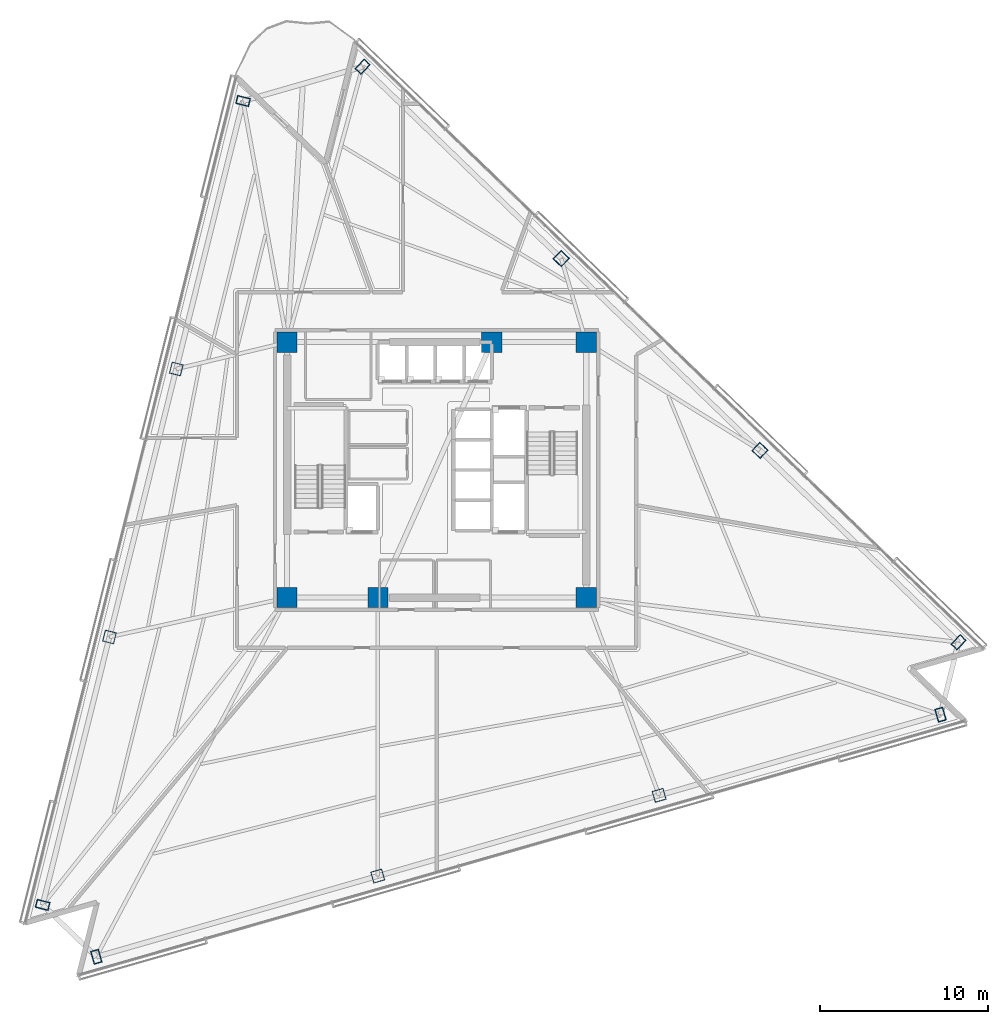
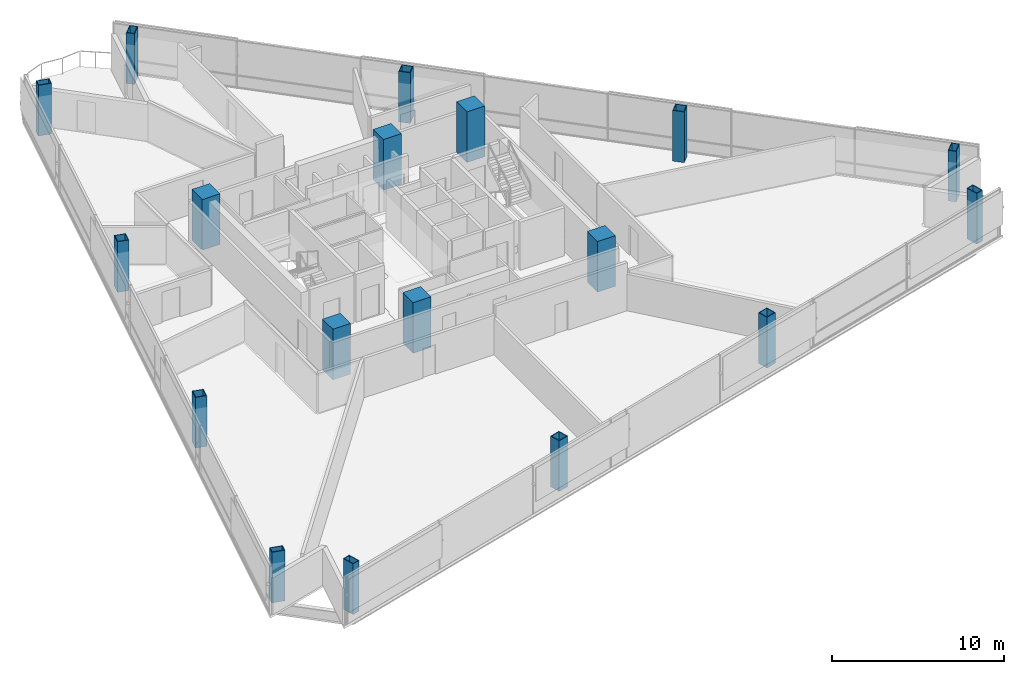
# One storey, part 1 of 19: 18 columns.
"""IFC4 building model written with IfcOpenShell, lengths in metres."""

import ifcopenshell
import ifcopenshell.guid

model = None  # the IFC model being written
_history = None  # IfcOwnerHistory: only IFC2X3 demands one
_inside = {}  # id of a spatial element -> (the spatial element, [elements in it])
_under = {}  # id of a project, library or spatial element -> (it, [spatial elements below it])
_declared = {}  # id of a project -> (the project, [libraries it declares])
_typed = {}  # id of a type object -> (the type object, [elements of that type])
_made_of = {}  # id of a material, layer set ... -> (it, [elements and type objects made of it])


def new_model(schema):
    """Start an empty IFC model of exactly this schema.

    Asked for "IFC4X3", IfcOpenShell would pick the latest addendum, in which some entities
    have other attributes; the version numbers below select the first issue.
    IFC2X3 requires an IfcOwnerHistory on every rooted entity: one is made here for all.
    """
    global model, _history
    if schema == "IFC4X3":
        model = ifcopenshell.file(schema_version=(4, 3, 0, 0))
    else:
        model = ifcopenshell.file(schema=schema)
    _inside.clear()
    _under.clear()
    _declared.clear()
    _typed.clear()
    _made_of.clear()
    _history = None
    if model.schema == "IFC2X3":
        org = make("IfcOrganization", Name="unknown")
        user = make(
            "IfcPersonAndOrganization",
            ThePerson=make("IfcPerson", FamilyName="unknown"),
            TheOrganization=org,
        )
        app = make(
            "IfcApplication",
            ApplicationDeveloper=org,
            Version="unknown",
            ApplicationFullName="unknown",
            ApplicationIdentifier="unknown",
        )
        _history = make(
            "IfcOwnerHistory",
            OwningUser=user,
            OwningApplication=app,
            ChangeAction="ADDED",
            CreationDate=0,
        )
    return model


def make(cls, **values):
    """One entity of the class cls with the attributes given. An attribute that is None is left unset."""
    return model.create_entity(
        cls, **{name: value for name, value in values.items() if value is not None}
    )


def rooted(cls, **values):
    """An entity with a GlobalId (a new one), such as an element, a storey or a relation."""
    return make(cls, GlobalId=ifcopenshell.guid.new(), OwnerHistory=_history, **values)


def si_unit(unit_type, name, prefix=None):
    """IfcSIUnit, for example si_unit("LENGTHUNIT", "METRE", prefix="MILLI")."""
    return make("IfcSIUnit", UnitType=unit_type, Prefix=prefix, Name=name)


def assignment(units):
    """IfcUnitAssignment: the units of a project."""
    return None if units is None else make("IfcUnitAssignment", Units=units)


def point(xyz):
    """IfcCartesianPoint."""
    return None if xyz is None else make("IfcCartesianPoint", Coordinates=xyz)


def direction(xyz):
    """IfcDirection."""
    return None if xyz is None else make("IfcDirection", DirectionRatios=xyz)


def frame(location, z_axis=None, x_axis=None):
    """IfcAxis2Placement3D, a coordinate frame: its origin and axes. An axis left out is left unset."""
    return make(
        "IfcAxis2Placement3D",
        Location=point(location),
        Axis=direction(z_axis),
        RefDirection=direction(x_axis),
    )


def frame_2d(location, x_axis=None):
    """IfcAxis2Placement2D, a coordinate frame in the plane: its origin and x axis."""
    return make(
        "IfcAxis2Placement2D", Location=point(location), RefDirection=direction(x_axis)
    )


def origin():
    """The frame at (0, 0, 0) with its axes left unset."""
    return frame((0.0, 0.0, 0.0))


def origin_2d():
    """The frame at (0, 0) in the plane with its x axis left unset."""
    return frame_2d((0.0, 0.0))


def place(relative_to, where):
    """IfcLocalPlacement: puts the frame where relative to a parent placement (None: the world)."""
    return make(
        "IfcLocalPlacement", PlacementRelTo=relative_to, RelativePlacement=where
    )


def context(
    kind, dimensions, precision=None, world=None, true_north=None, identifier=None
):
    """IfcGeometricRepresentationContext, for example the 3D "Model" context."""
    return make(
        "IfcGeometricRepresentationContext",
        ContextIdentifier=identifier,
        ContextType=kind,
        CoordinateSpaceDimension=dimensions,
        Precision=precision,
        WorldCoordinateSystem=world,
        TrueNorth=true_north,
    )


def subcontext(parent, identifier, kind, view, scale=None):
    """IfcGeometricRepresentationSubContext, for example "Body" below "Model"."""
    return make(
        "IfcGeometricRepresentationSubContext",
        ContextIdentifier=identifier,
        ContextType=kind,
        ParentContext=parent,
        TargetScale=scale,
        TargetView=view,
    )


def project(units=None, contexts=None):
    """IfcProject with its units and contexts."""
    return rooted(
        "IfcProject",
        Name="project",
        RepresentationContexts=contexts,
        UnitsInContext=assignment(units),
    )


def spatial(cls, under=None, at=None, **own):
    """A site, building, storey or space (cls), placed at a placement, below another one or the project."""
    s = rooted(cls, ObjectPlacement=at, **own)
    if under is not None:
        _under.setdefault(under.id(), (under, []))[1].append(s)
    return s


def profile(cls, at=None, kind="AREA", **sizes):
    """A parametric profile (cls). Its sizes go by their IFC names, for example OverallWidth=200.0."""
    return make(cls, ProfileType=kind, Position=at, **sizes)


def rectangle(**sizes):
    """IfcRectangleProfileDef."""
    return profile("IfcRectangleProfileDef", **sizes)


def hollow_rectangle(**sizes):
    """IfcRectangleHollowProfileDef."""
    return profile("IfcRectangleHollowProfileDef", **sizes)


def extrude(swept, where, along, depth):
    """IfcExtrudedAreaSolid: the profile swept, set in the frame where, extruded along a direction by depth."""
    return make(
        "IfcExtrudedAreaSolid",
        SweptArea=swept,
        Position=where,
        ExtrudedDirection=direction(along),
        Depth=depth,
    )


def shape(context_of_items, identifier, shape_type, items):
    """IfcShapeRepresentation: the items that make up one representation, for example the "Body"."""
    return make(
        "IfcShapeRepresentation",
        ContextOfItems=context_of_items,
        RepresentationIdentifier=identifier,
        RepresentationType=shape_type,
        Items=items,
    )


def material(Name=None, Category=None):
    """IfcMaterial."""
    return make("IfcMaterial", Name=Name, Category=Category)


def material_profile(
    of_material, cross_section, Name=None, Category=None, Priority=None
):
    """IfcMaterialProfile: a cross section and its material."""
    return make(
        "IfcMaterialProfile",
        Name=Name,
        Material=of_material,
        Profile=cross_section,
        Priority=Priority,
        Category=Category,
    )


def profile_set(profiles, Name=None, composite=None):
    """IfcMaterialProfileSet."""
    return make(
        "IfcMaterialProfileSet",
        Name=Name,
        MaterialProfiles=profiles,
        CompositeProfile=composite,
    )


def made_of(thing, what):
    """Note that an element or type object is made of a material, layer set ...; save() writes the relation."""
    if what is not None:
        _made_of.setdefault(what.id(), (what, []))[1].append(thing)
    return thing


def type_object(cls, material=None, **own):
    """A type object (cls), such as IfcWallType, which elements share."""
    return made_of(rooted(cls, **own), material)


def element(
    cls,
    number,
    at=None,
    inside=None,
    cuts=None,
    type_object=None,
    material=None,
    context=None,
    identifier="Body",
    shape_type=None,
    held_by="IfcProductDefinitionShape",
    body=None,
    shapes=None,
    **own,
):
    """One element of the class cls, such as IfcWall. Its Tag is "e" and its number.

    at: its placement. inside: the storey or other place that contains it. cuts: it is an
    opening in that element (IfcRelVoidsElement). A single representation is given by context,
    identifier, shape_type and body (its items); several are given by shapes. held_by: the class
    of the entity that holds the representations. save() writes the other relations.
    """
    e = rooted(cls, Tag="e%d" % number, ObjectPlacement=at, **own)
    if body is not None:
        shapes = [shape(context, identifier, shape_type, body)]
    if shapes is not None:
        e.Representation = make(held_by, Representations=shapes)
    if inside is not None:
        _inside.setdefault(inside.id(), (inside, []))[1].append(e)
    if cuts is not None:
        rooted(
            "IfcRelVoidsElement", RelatingBuildingElement=cuts, RelatedOpeningElement=e
        )
    if type_object is not None:
        _typed.setdefault(type_object.id(), (type_object, []))[1].append(e)
    return made_of(e, material)


def aggregate(whole, parts):
    """IfcRelAggregates: a whole, such as a stair, and the parts it consists of."""
    return rooted("IfcRelAggregates", RelatingObject=whole, RelatedObjects=parts)


def save(model, path):
    """Write the relations noted so far, then the file.

    IfcRelAggregates (storeys below a building ...), IfcRelContainedInSpatialStructure (elements
    in a storey), IfcRelDefinesByType, IfcRelAssociatesMaterial and IfcRelDeclares: one each for
    every whole, place, type object, material and project.
    """
    for whole, parts in _under.values():
        aggregate(whole, parts)
    for where, things in _inside.values():
        rooted(
            "IfcRelContainedInSpatialStructure",
            RelatedElements=things,
            RelatingStructure=where,
        )
    for kind, things in _typed.values():
        rooted("IfcRelDefinesByType", RelatedObjects=things, RelatingType=kind)
    for what, things in _made_of.values():
        rooted("IfcRelAssociatesMaterial", RelatedObjects=things, RelatingMaterial=what)
    for by, libraries in _declared.values():
        rooted("IfcRelDeclares", RelatingContext=by, RelatedDefinitions=libraries)
    model.write(path)


model = new_model("IFC4")

# Units and contexts
model_context = context("Model", 3, precision=1e-05, world=origin(), true_north=direction((0.0, 1.0)))
body_context = subcontext(model_context, "Body", "Model", "MODEL_VIEW")
ifc_project = project(units=[si_unit("LENGTHUNIT", "METRE"), si_unit("AREAUNIT", "SQUARE_METRE"), si_unit("VOLUMEUNIT", "CUBIC_METRE"), si_unit("PLANEANGLEUNIT", "RADIAN"), si_unit("MASSUNIT", "GRAM", prefix="KILO")], contexts=[model_context])

# Site, building, storey
site_placement = place(None, origin())
site = spatial("IfcSite", under=ifc_project, at=site_placement, CompositionType="ELEMENT")
building_placement = place(site_placement, origin())
building = spatial("IfcBuilding", under=site, at=building_placement, Name="Tharavind Bronze Gate", CompositionType="ELEMENT")
storey_placement = place(building_placement, frame((0.0, 0.0, 89.699951171875)))
storey = spatial("IfcBuildingStorey", under=building, at=storey_placement, Name="L22", CompositionType="ELEMENT", Elevation=89.699951171875)

# Columns
ifc_material_1 = material(Name="Steel S460", Category="steel")
ifc_material_profile_1 = material_profile(ifc_material_1, hollow_rectangle(XDim=0.5, YDim=0.800048828125, WallThickness=0.0400390625, at=origin_2d()), Name="RHS800X500X40")
ifc_profile_set_1 = profile_set([ifc_material_profile_1], Name="Steel S460")
column_type_1 = type_object("IfcColumnType", Name="CORNER NOTCH COLUMN RHS800X500", PredefinedType="COLUMN", material=ifc_profile_set_1)
for number, where, z_axis, x_axis, name in (
    (1, (-11.520263671875, 21.952392578125, 0.0), (0.0, 0.0, 1.0), (0.2419218956, 0.970295726276, 0.0), "L22 perimeter column S1C1"),
    (2, (-23.447265625, -25.884521484375, 0.0), (0.0, 0.0, 1.0), (0.2419218956, 0.970295726276, 0.0), "L22 perimeter column S1C4"),
    (3, (-20.25341796875, -28.96875, 0.0), (0.0, 0.0, 1.0), (0.961261695938, 0.275637355817, 0.0), "L22 perimeter column S2C1"),
    (4, (29.9833984375, -14.563720703125, 0.0), (0.0, 0.0, 1.0), (0.961261695938, 0.275637355817, 0.0), "L22 perimeter column S2C4"),
    (5, (31.0576171875, -10.255615234375, 0.0), (0.0, 0.0, 1.0), (-0.719339800339, 0.694658370459, 0.0), "L22 perimeter column S3C1"),
    (6, (-4.406982421875, 23.9921875, 0.0), (0.0, 0.0, 1.0), (-0.719339800339, 0.694658370459, 0.0), "L22 perimeter column S3C4"),
):
    element("IfcColumn", number, at=place(storey_placement, frame(where, z_axis=z_axis, x_axis=x_axis)), inside=storey, type_object=column_type_1, Name=name, PredefinedType="COLUMN", context=body_context, shape_type="SweptSolid", body=[
        extrude(hollow_rectangle(XDim=0.5, YDim=0.800048828125, WallThickness=0.0400390625, at=origin_2d()), origin(), (0.0, 0.0, 1.0), 3.60009765625),
    ])
ifc_material_2 = material(Name="Concrete C60/75", Category="concrete")
ifc_material_profile_2 = material_profile(ifc_material_2, rectangle(XDim=1.199951171875, YDim=1.199951171875, at=origin_2d()), Name="RCCOL1200")
ifc_profile_set_2 = profile_set([ifc_material_profile_2], Name="Concrete C60/75")
column_type_2 = type_object("IfcColumnType", Name="MEGA CORE COLUMN 1200", PredefinedType="COLUMN", material=ifc_profile_set_2)
for number, where, z_axis, x_axis, name in (
    (7, (-8.89990234375, -7.60009765625, 0.0), (0.0, 0.0, 1.0), (1.0, 0.0, 0.0), "L22 core mega column MC1"),
    (8, (-3.5, -7.60009765625, 0.0), (0.0, 0.0, 1.0), (1.0, 0.0, 0.0), "L22 core mega column MC2"),
    (9, (8.89990234375, -7.60009765625, 0.0), (0.0, 0.0, 1.0), (1.0, 0.0, 0.0), "L22 core mega column MC3"),
    (10, (8.89990234375, 7.60009765625, 0.0), (0.0, 0.0, 1.0), (1.0, 0.0, 0.0), "L22 core mega column MC4"),
    (11, (3.280029296875, 7.60009765625, 0.0), (0.0, 0.0, 1.0), (1.0, 0.0, 0.0), "L22 core mega column MC5"),
    (12, (-8.89990234375, 7.60009765625, 0.0), (0.0, 0.0, 1.0), (1.0, 0.0, 0.0), "L22 core mega column MC6"),
):
    element("IfcColumn", number, at=place(storey_placement, frame(where, z_axis=z_axis, x_axis=x_axis)), inside=storey, type_object=column_type_2, Name=name, PredefinedType="COLUMN", context=body_context, shape_type="SweptSolid", body=[
        extrude(rectangle(XDim=1.199951171875, YDim=1.199951171875, at=origin_2d()), origin(), (0.0, 0.0, 1.0), 3.60009765625),
    ])
ifc_material_profile_3 = material_profile(ifc_material_1, hollow_rectangle(XDim=0.699951171875, YDim=0.699951171875, WallThickness=0.0400390625, at=origin_2d()), Name="SHS700X40")
ifc_profile_set_3 = profile_set([ifc_material_profile_3], Name="Steel S460")
column_type_3 = type_object("IfcColumnType", Name="PERIMETER BOX COLUMN SHS700", PredefinedType="COLUMN", material=ifc_profile_set_3)
for number, where, z_axis, x_axis, name in (
    (13, (-15.495849609375, 6.006591796875, 0.0), (0.0, 0.0, 1.0), (0.2419218956, 0.970295726276, 0.0), "L22 perimeter column S1C2"),
    (14, (-19.4716796875, -9.93896484375, 0.0), (0.0, 0.0, 1.0), (0.2419218956, 0.970295726276, 0.0), "L22 perimeter column S1C3"),
    (15, (-3.5078125, -24.1669921875, 0.0), (0.0, 0.0, 1.0), (0.961261695938, 0.275637355817, 0.0), "L22 perimeter column S2C2"),
    (16, (13.23779296875, -19.365234375, 0.0), (0.0, 0.0, 1.0), (0.961261695938, 0.275637355817, 0.0), "L22 perimeter column S2C3"),
    (17, (19.236083984375, 1.160400390625, 0.0), (0.0, 0.0, 1.0), (-0.719339800339, 0.694658370459, 0.0), "L22 perimeter column S3C2"),
    (18, (7.41455078125, 12.576171875, 0.0), (0.0, 0.0, 1.0), (-0.719339800339, 0.694658370459, 0.0), "L22 perimeter column S3C3"),
):
    element("IfcColumn", number, at=place(storey_placement, frame(where, z_axis=z_axis, x_axis=x_axis)), inside=storey, type_object=column_type_3, Name=name, PredefinedType="COLUMN", context=body_context, shape_type="SweptSolid", body=[
        extrude(hollow_rectangle(XDim=0.699951171875, YDim=0.699951171875, WallThickness=0.0400390625, at=origin_2d()), origin(), (0.0, 0.0, 1.0), 3.60009765625),
    ])

save(model, "model.ifc")
